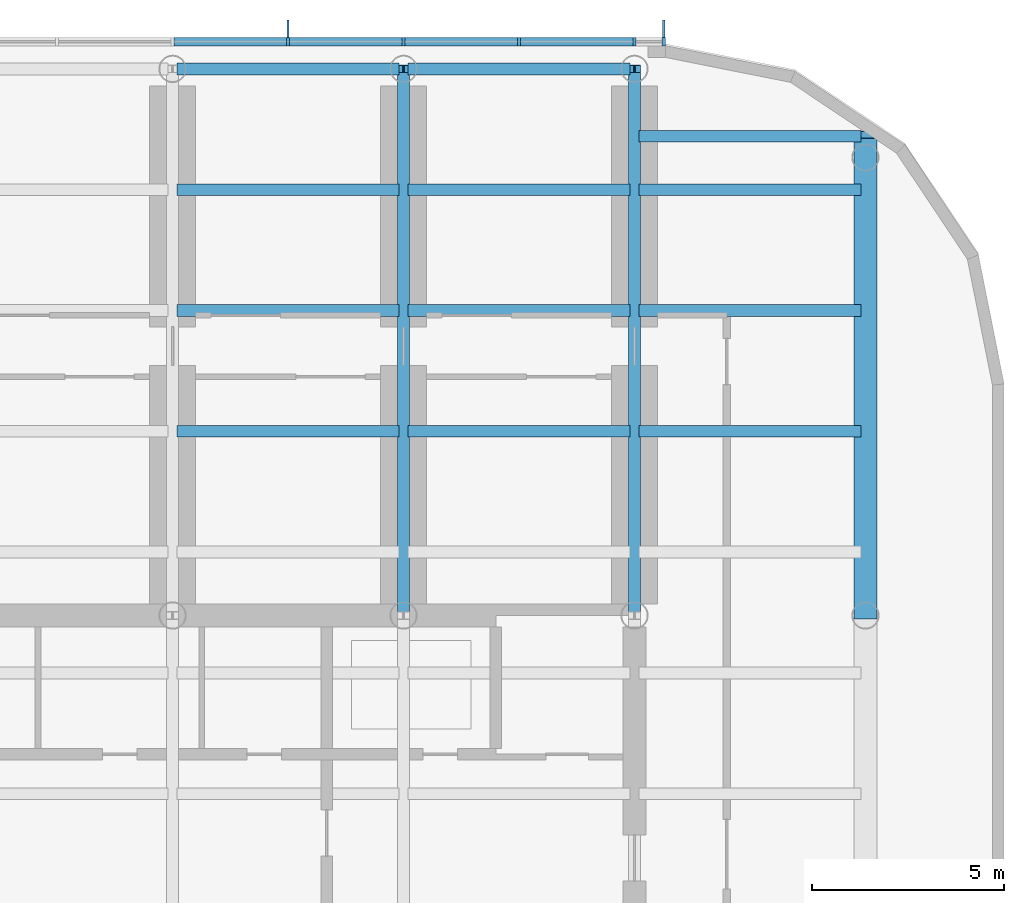
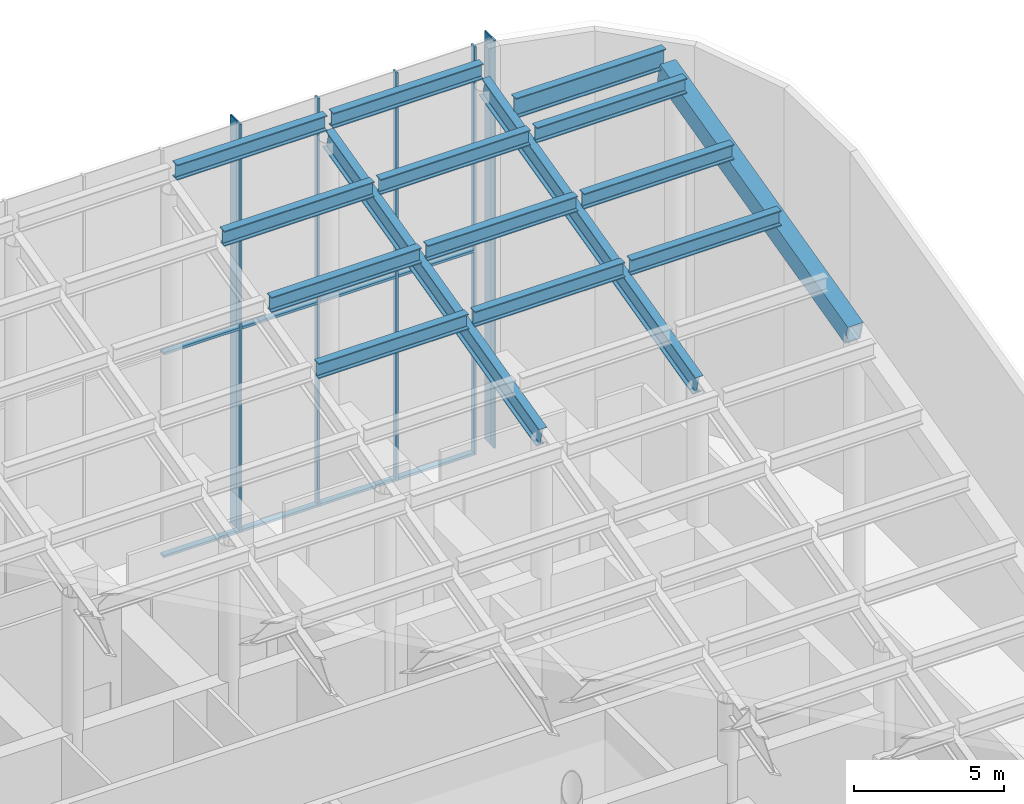
# One storey, part 5 of 14: 30 members, 1 element without a shape of its own.
"""IFC4 building model written with IfcOpenShell, lengths in metres."""

from ifc_helpers import new_model, si_unit, direction, frame, origin, origin_2d, place, context, subcontext, project, spatial, rectangle, hollow_rectangle, i_section, extrude, material, material_profile, profile_set, type_object, element, aggregate, save


model = new_model("IFC4")

# Units and contexts
model_context = context("Model", 3, precision=1e-05, world=origin(), true_north=direction((0.0, 1.0)))
body_context = subcontext(model_context, "Body", "Model", "MODEL_VIEW")
ifc_project = project(units=[si_unit("LENGTHUNIT", "METRE"), si_unit("AREAUNIT", "SQUARE_METRE"), si_unit("VOLUMEUNIT", "CUBIC_METRE"), si_unit("PLANEANGLEUNIT", "RADIAN"), si_unit("MASSUNIT", "GRAM", prefix="KILO")], contexts=[model_context])

# Site, building, storey
site_placement = place(None, origin())
site = spatial("IfcSite", under=ifc_project, at=site_placement, CompositionType="ELEMENT")
building_placement = place(site_placement, origin())
building = spatial("IfcBuilding", under=site, at=building_placement, Name="Orbita Commons", CompositionType="ELEMENT")
storey_placement = place(building_placement, frame((0.0, 0.0, 262.300048828125)))
storey = spatial("IfcBuildingStorey", under=building, at=storey_placement, Name="L65", CompositionType="ELEMENT", Elevation=262.300048828125)

# Members
ifc_material_1 = material(Name="Steel ASTM A572 Gr 50 welded plate", Category="steel")
ifc_material_profile_1 = material_profile(ifc_material_1, hollow_rectangle(XDim=0.60009765625, YDim=0.800048828125, WallThickness=0.06005859375, at=origin_2d()), Name="BOX 800x600x60")
ifc_profile_set_1 = profile_set([ifc_material_profile_1], Name="Steel ASTM A572 Gr 50 welded plate")
member_type_1 = type_object("IfcMemberType", Name="Crown end rafter BOX 800x600x60", PredefinedType="RAFTER", material=ifc_profile_set_1)
member_1_placement = place(storey_placement, frame((72.0, 38.199951171875, 11.5244140625), z_axis=(0.0, 0.970296329372, 0.2419194767), x_axis=(-1.0, 0.0, 0.0)))
element("IfcMember", 1, at=member_1_placement, inside=storey, type_object=member_type_1, Name="Crown rafter line 13 span 3", PredefinedType="RAFTER", context=body_context, shape_type="SweptSolid", body=[
    extrude(hollow_rectangle(XDim=0.60009765625, YDim=0.800048828125, WallThickness=0.06005859375, at=origin_2d()), origin(), (0.0, 0.0, 1.0), 12.866943359375),
])
ifc_material_2 = material(Name="Steel ASTM A992", Category="steel")
ifc_material_profile_2 = material_profile(ifc_material_2, i_section(OverallWidth=0.304931640625, OverallDepth=0.6201171875, WebThickness=0.02099609375, FlangeThickness=0.0400390625, FilletRadius=0.027099609375, at=origin_2d()), Name="HEM 600")
ifc_profile_set_2 = profile_set([ifc_material_profile_2], Name="Steel ASTM A992")
member_type_2 = type_object("IfcMemberType", Name="Crown purlin HEM 600", PredefinedType="PURLIN", material=ifc_profile_set_2)
for number, where, z_axis, x_axis, name in (
    (2, (54.1201171875, 42.984619140625, 13.42041015625), (1.0, 0.0, 0.0), (0.0, 1.0, 0.0), "Crown purlin 11 10-11"),
    (3, (60.1201171875, 42.984619140625, 13.42041015625), (1.0, 0.0, 0.0), (0.0, 1.0, 0.0), "Crown purlin 11 11-12"),
    (4, (66.1201171875, 42.984619140625, 13.42041015625), (1.0, 0.0, 0.0), (0.0, 1.0, 0.0), "Crown purlin 11 12-13"),
    (5, (54.1201171875, 46.123046875, 14.202880859375), (1.0, 0.0, 0.0), (0.0, 1.0, 0.0), "Crown purlin 12 10-11"),
    (6, (60.1201171875, 46.123046875, 14.202880859375), (1.0, 0.0, 0.0), (0.0, 1.0, 0.0), "Crown purlin 12 11-12"),
    (7, (66.1201171875, 46.123046875, 14.202880859375), (1.0, 0.0, 0.0), (0.0, 1.0, 0.0), "Crown purlin 12 12-13"),
    (8, (54.1201171875, 49.261474609375, 14.985595703125), (1.0, 0.0, 0.0), (0.0, 1.0, 0.0), "Crown purlin 13 10-11"),
    (9, (60.1201171875, 49.261474609375, 14.985595703125), (1.0, 0.0, 0.0), (0.0, 1.0, 0.0), "Crown purlin 13 11-12"),
    (10, (66.1201171875, 49.261474609375, 14.985595703125), (1.0, 0.0, 0.0), (0.0, 1.0, 0.0), "Crown purlin 13 12-13"),
    (11, (54.1201171875, 52.39990234375, 15.76806640625), (1.0, 0.0, 0.0), (0.0, 1.0, 0.0), "Crown purlin 14 10-11"),
    (12, (60.1201171875, 52.39990234375, 15.76806640625), (1.0, 0.0, 0.0), (0.0, 1.0, 0.0), "Crown purlin 14 11-12"),
):
    element("IfcMember", number, at=place(storey_placement, frame(where, z_axis=z_axis, x_axis=x_axis)), inside=storey, type_object=member_type_2, Name=name, PredefinedType="PURLIN", context=body_context, shape_type="SweptSolid", body=[
        extrude(i_section(OverallWidth=0.304931640625, OverallDepth=0.6201171875, WebThickness=0.02099609375, FlangeThickness=0.0400390625, FilletRadius=0.027099609375, at=origin_2d()), origin(), (0.0, 0.0, 1.0), 5.759765625),
    ])
ifc_material_3 = material(Name="Steel ASTM A992", Category="steel")
ifc_material_profile_3 = material_profile(ifc_material_3, i_section(OverallWidth=0.302978515625, OverallDepth=0.81396484375, WebThickness=0.02099609375, FlangeThickness=0.0400390625, FilletRadius=0.030029296875, at=origin_2d()), Name="HEM 800")
ifc_profile_set_3 = profile_set([ifc_material_profile_3], Name="Steel ASTM A992")
member_type_3 = type_object("IfcMemberType", Name="Crown purlin HEM 800", PredefinedType="PURLIN", material=ifc_profile_set_3)
member_2_placement = place(storey_placement, frame((66.1201171875, 50.64990234375, 15.23486328125), z_axis=(1.0, 0.0, 0.0), x_axis=(0.0, 1.0, 0.0)))
element("IfcMember", 13, at=member_2_placement, inside=storey, type_object=member_type_3, Name="Crown purlin 14 12-13", PredefinedType="PURLIN", context=body_context, shape_type="SweptSolid", body=[
    extrude(i_section(OverallWidth=0.302978515625, OverallDepth=0.81396484375, WebThickness=0.02099609375, FlangeThickness=0.0400390625, FilletRadius=0.030029296875, at=origin_2d()), origin(), (0.0, 0.0, 1.0), 5.759765625),
])
ifc_material_4 = material(Name="Steel ASTM A992", Category="steel")
ifc_material_profile_4 = material_profile(ifc_material_4, i_section(OverallWidth=0.302978515625, OverallDepth=0.81396484375, WebThickness=0.02099609375, FlangeThickness=0.0400390625, FilletRadius=0.030029296875, at=origin_2d()), Name="HEM 800")
ifc_profile_set_4 = profile_set([ifc_material_profile_4], Name="Steel ASTM A992")
member_type_4 = type_object("IfcMemberType", Name="Crown rafter HEM 800", PredefinedType="RAFTER", material=ifc_profile_set_4)
for number, where, z_axis, x_axis, name in (
    (14, (60.0, 38.199951171875, 11.51708984375), (0.0, 0.97029441297, 0.24192716292), (-1.0, 0.0, 0.0), "Crown rafter line 11 span 3"),
    (15, (66.0, 38.199951171875, 11.51708984375), (0.0, 0.97029441297, 0.24192716292), (-1.0, 0.0, 0.0), "Crown rafter line 12 span 3"),
):
    element("IfcMember", number, at=place(storey_placement, frame(where, z_axis=z_axis, x_axis=x_axis)), inside=storey, type_object=member_type_4, Name=name, PredefinedType="RAFTER", context=body_context, shape_type="SweptSolid", body=[
        extrude(i_section(OverallWidth=0.302978515625, OverallDepth=0.81396484375, WebThickness=0.02099609375, FlangeThickness=0.0400390625, FilletRadius=0.030029296875, at=origin_2d()), origin(), (0.0, 0.0, 1.0), 14.634765625),
    ])

# Curtain wall, members
ifc_material_5 = material(Name="Anodised aluminium frame, pale silver", Category="aluminium")
curtain_wall_type = type_object("IfcCurtainWallType", Name="Crown curtain wall CW-C", PredefinedType="NOTDEFINED", material=ifc_material_5)
curtain_wall_placement = place(storey_placement, origin())
curtain_wall = element("IfcCurtainWall", 16, at=curtain_wall_placement, inside=storey, type_object=curtain_wall_type, Name="Curtain wall north L65", PredefinedType="NOTDEFINED")
ifc_material_6 = material(Name="Anodised aluminium, pale silver", Category="aluminium")
ifc_material_profile_5 = material_profile(ifc_material_6, rectangle(XDim=0.080078125, YDim=0.219970703125, at=origin_2d()), Name="AL 80x220")
ifc_profile_set_5 = profile_set([ifc_material_profile_5], Name="Anodised aluminium, pale silver")
member_type_5 = type_object("IfcMemberType", Name="Curtain wall mullion 80x220", PredefinedType="MULLION", material=ifc_profile_set_5)
member_3_placement = place(storey_placement, frame((66.760009765625, 53.110107421875, -0.300048828125), z_axis=(0.0, 0.0, 1.0), x_axis=(-1.0, 0.0, 0.0)))
member_3 = element("IfcMember", 17, at=member_3_placement, type_object=member_type_5, Name="Mullion 1 CW-L65-N", PredefinedType="MULLION", context=body_context, shape_type="SweptSolid", body=[
    extrude(rectangle(XDim=0.080078125, YDim=0.219970703125, at=origin_2d()), origin(), (0.0, 0.0, 1.0), 16.57177734375),
])
member_4_placement = place(storey_placement, frame((66.0, 53.110107421875, -0.300048828125), z_axis=(0.0, 0.0, 1.0), x_axis=(-1.0, 0.0, 0.0)))
member_4 = element("IfcMember", 18, at=member_4_placement, type_object=member_type_5, Name="Mullion 2 CW-L65-N", PredefinedType="MULLION", context=body_context, shape_type="SweptSolid", body=[
    extrude(rectangle(XDim=0.080078125, YDim=0.219970703125, at=origin_2d()), origin(), (0.0, 0.0, 1.0), 16.57177734375),
])
member_5_placement = place(storey_placement, frame((63.0, 53.110107421875, -0.300048828125), z_axis=(0.0, 0.0, 1.0), x_axis=(-1.0, 0.0, 0.0)))
member_5 = element("IfcMember", 19, at=member_5_placement, type_object=member_type_5, Name="Mullion 3 CW-L65-N", PredefinedType="MULLION", context=body_context, shape_type="SweptSolid", body=[
    extrude(rectangle(XDim=0.080078125, YDim=0.219970703125, at=origin_2d()), origin(), (0.0, 0.0, 1.0), 16.57177734375),
])
member_6_placement = place(storey_placement, frame((60.0, 53.110107421875, -0.300048828125), z_axis=(0.0, 0.0, 1.0), x_axis=(-1.0, 0.0, 0.0)))
member_6 = element("IfcMember", 20, at=member_6_placement, type_object=member_type_5, Name="Mullion 4 CW-L65-N", PredefinedType="MULLION", context=body_context, shape_type="SweptSolid", body=[
    extrude(rectangle(XDim=0.080078125, YDim=0.219970703125, at=origin_2d()), origin(), (0.0, 0.0, 1.0), 16.57177734375),
])
member_7_placement = place(storey_placement, frame((57.0, 53.110107421875, -0.300048828125), z_axis=(0.0, 0.0, 1.0), x_axis=(-1.0, 0.0, 0.0)))
member_7 = element("IfcMember", 21, at=member_7_placement, type_object=member_type_5, Name="Mullion 5 CW-L65-N", PredefinedType="MULLION", context=body_context, shape_type="SweptSolid", body=[
    extrude(rectangle(XDim=0.080078125, YDim=0.219970703125, at=origin_2d()), origin(), (0.0, 0.0, 1.0), 16.57177734375),
])
ifc_material_7 = material(Name="Anodised aluminium, pale silver", Category="aluminium")
ifc_material_profile_6 = material_profile(ifc_material_7, rectangle(XDim=0.219970703125, YDim=0.10009765625, at=origin_2d()), Name="AL 220x100")
ifc_profile_set_6 = profile_set([ifc_material_profile_6], Name="Anodised aluminium, pale silver")
member_type_6 = type_object("IfcMemberType", Name="Curtain wall stack transom 220x100", PredefinedType="USERDEFINED", material=ifc_profile_set_6)
member_8_placement = place(storey_placement, frame((65.9599609375, 53.110107421875, -0.25), z_axis=(-1.0, 0.0, 0.0), x_axis=(0.0, -1.0, 0.0)))
member_8 = element("IfcMember", 22, at=member_8_placement, type_object=member_type_6, Name="Transom 2.1 CW-L65-N", ObjectType="TRANSOM", PredefinedType="USERDEFINED", context=body_context, shape_type="SweptSolid", body=[
    extrude(rectangle(XDim=0.219970703125, YDim=0.10009765625, at=origin_2d()), origin(), (0.0, 0.0, 1.0), 2.919921875),
])
member_9_placement = place(storey_placement, frame((65.9599609375, 53.110107421875, 7.98583984375), z_axis=(-1.0, 0.0, 0.0), x_axis=(0.0, -1.0, 0.0)))
member_9 = element("IfcMember", 23, at=member_9_placement, type_object=member_type_6, Name="Transom 2.2 CW-L65-N", ObjectType="TRANSOM", PredefinedType="USERDEFINED", context=body_context, shape_type="SweptSolid", body=[
    extrude(rectangle(XDim=0.219970703125, YDim=0.10009765625, at=origin_2d()), origin(), (0.0, 0.0, 1.0), 2.919921875),
])
member_10_placement = place(storey_placement, frame((62.9599609375, 53.110107421875, -0.25), z_axis=(-1.0, 0.0, 0.0), x_axis=(0.0, -1.0, 0.0)))
member_10 = element("IfcMember", 24, at=member_10_placement, type_object=member_type_6, Name="Transom 3.1 CW-L65-N", ObjectType="TRANSOM", PredefinedType="USERDEFINED", context=body_context, shape_type="SweptSolid", body=[
    extrude(rectangle(XDim=0.219970703125, YDim=0.10009765625, at=origin_2d()), origin(), (0.0, 0.0, 1.0), 2.919921875),
])
member_11_placement = place(storey_placement, frame((62.9599609375, 53.110107421875, 7.98583984375), z_axis=(-1.0, 0.0, 0.0), x_axis=(0.0, -1.0, 0.0)))
member_11 = element("IfcMember", 25, at=member_11_placement, type_object=member_type_6, Name="Transom 3.2 CW-L65-N", ObjectType="TRANSOM", PredefinedType="USERDEFINED", context=body_context, shape_type="SweptSolid", body=[
    extrude(rectangle(XDim=0.219970703125, YDim=0.10009765625, at=origin_2d()), origin(), (0.0, 0.0, 1.0), 2.919921875),
])
member_12_placement = place(storey_placement, frame((59.9599609375, 53.110107421875, -0.25), z_axis=(-1.0, 0.0, 0.0), x_axis=(0.0, -1.0, 0.0)))
member_12 = element("IfcMember", 26, at=member_12_placement, type_object=member_type_6, Name="Transom 4.1 CW-L65-N", ObjectType="TRANSOM", PredefinedType="USERDEFINED", context=body_context, shape_type="SweptSolid", body=[
    extrude(rectangle(XDim=0.219970703125, YDim=0.10009765625, at=origin_2d()), origin(), (0.0, 0.0, 1.0), 2.919921875),
])
member_13_placement = place(storey_placement, frame((59.9599609375, 53.110107421875, 7.98583984375), z_axis=(-1.0, 0.0, 0.0), x_axis=(0.0, -1.0, 0.0)))
member_13 = element("IfcMember", 27, at=member_13_placement, type_object=member_type_6, Name="Transom 4.2 CW-L65-N", ObjectType="TRANSOM", PredefinedType="USERDEFINED", context=body_context, shape_type="SweptSolid", body=[
    extrude(rectangle(XDim=0.219970703125, YDim=0.10009765625, at=origin_2d()), origin(), (0.0, 0.0, 1.0), 2.919921875),
])
member_14_placement = place(storey_placement, frame((56.9599609375, 53.110107421875, -0.25), z_axis=(-1.0, 0.0, 0.0), x_axis=(0.0, -1.0, 0.0)))
member_14 = element("IfcMember", 28, at=member_14_placement, type_object=member_type_6, Name="Transom 5.1 CW-L65-N", ObjectType="TRANSOM", PredefinedType="USERDEFINED", context=body_context, shape_type="SweptSolid", body=[
    extrude(rectangle(XDim=0.219970703125, YDim=0.10009765625, at=origin_2d()), origin(), (0.0, 0.0, 1.0), 2.919921875),
])
member_15_placement = place(storey_placement, frame((56.9599609375, 53.110107421875, 7.98583984375), z_axis=(-1.0, 0.0, 0.0), x_axis=(0.0, -1.0, 0.0)))
member_15 = element("IfcMember", 29, at=member_15_placement, type_object=member_type_6, Name="Transom 5.2 CW-L65-N", ObjectType="TRANSOM", PredefinedType="USERDEFINED", context=body_context, shape_type="SweptSolid", body=[
    extrude(rectangle(XDim=0.219970703125, YDim=0.10009765625, at=origin_2d()), origin(), (0.0, 0.0, 1.0), 2.919921875),
])
ifc_material_8 = material(Name="Anodised aluminium, pale silver", Category="aluminium")
ifc_material_profile_7 = material_profile(ifc_material_8, rectangle(XDim=0.06005859375, YDim=0.449951171875, at=origin_2d()), Name="FIN 60x450")
ifc_profile_set_7 = profile_set([ifc_material_profile_7], Name="Anodised aluminium, pale silver")
member_type_7 = type_object("IfcMemberType", Name="Vertical fin 60x450 pale aluminium", PredefinedType="USERDEFINED", material=ifc_profile_set_7)
member_16_placement = place(storey_placement, frame((66.760009765625, 53.445068359375, -0.300048828125), z_axis=(0.0, 0.0, 1.0), x_axis=(-1.0, 0.0, 0.0)))
member_16 = element("IfcMember", 30, at=member_16_placement, type_object=member_type_7, Name="Fin 1 CW-L65-N", ObjectType="FIN", PredefinedType="USERDEFINED", context=body_context, shape_type="SweptSolid", body=[
    extrude(rectangle(XDim=0.06005859375, YDim=0.449951171875, at=origin_2d()), origin(), (0.0, 0.0, 1.0), 16.57177734375),
])
member_17_placement = place(storey_placement, frame((57.0, 53.445068359375, -0.300048828125), z_axis=(0.0, 0.0, 1.0), x_axis=(-1.0, 0.0, 0.0)))
member_17 = element("IfcMember", 31, at=member_17_placement, type_object=member_type_7, Name="Fin 5 CW-L65-N", ObjectType="FIN", PredefinedType="USERDEFINED", context=body_context, shape_type="SweptSolid", body=[
    extrude(rectangle(XDim=0.06005859375, YDim=0.449951171875, at=origin_2d()), origin(), (0.0, 0.0, 1.0), 16.57177734375),
])
aggregate(curtain_wall, [member_3, member_16, member_4, member_5, member_6, member_7, member_17, member_8, member_9, member_10, member_11, member_12, member_13, member_14, member_15])

save(model, "model.ifc")
